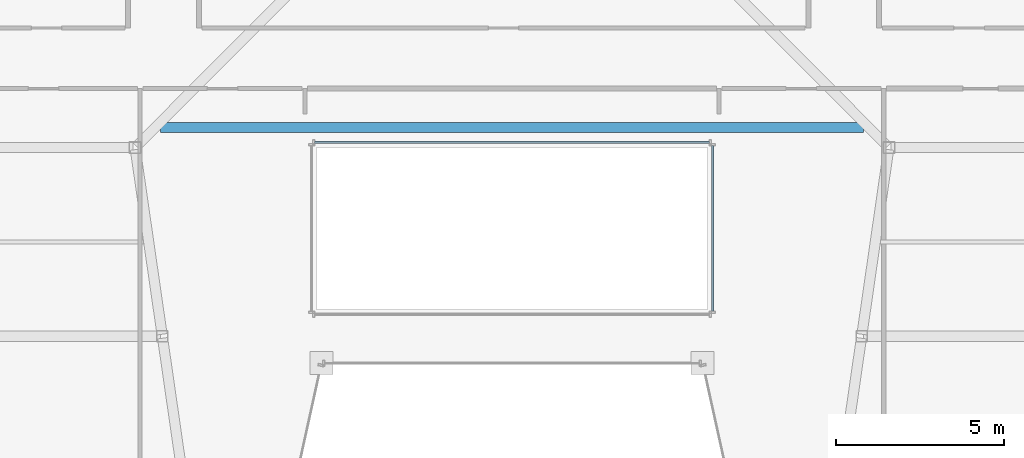
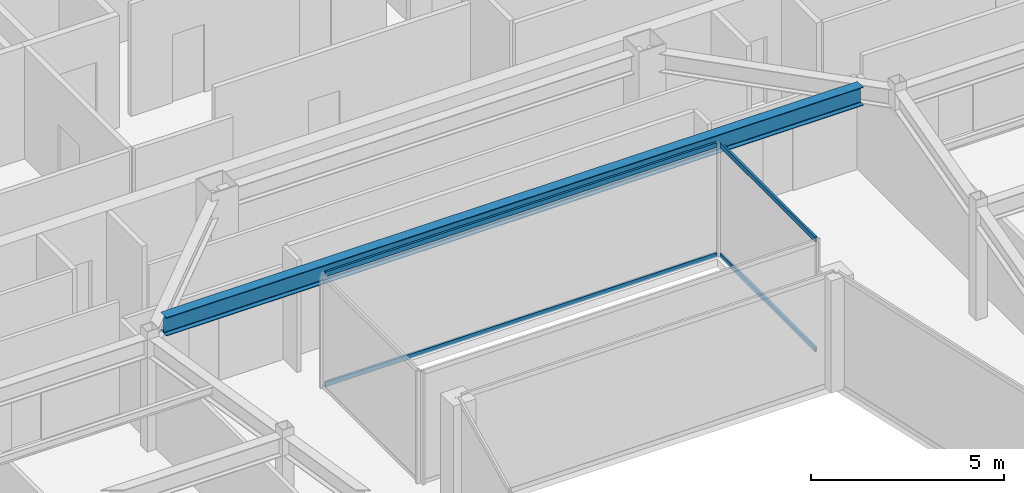
# One storey, part 10 of 32: 4 members, 1 beam, 2 elements without a shape of their own.
"""IFC4 building model written with IfcOpenShell, lengths in metres."""

from ifc_helpers import new_model, si_unit, direction, frame, origin, origin_2d, place, context, subcontext, project, spatial, hollow_rectangle, i_section, extrude, material, material_profile, profile_set, type_object, element, aggregate, save


model = new_model("IFC4")

# Units and contexts
model_context = context("Model", 3, precision=1e-05, world=origin(), true_north=direction((0.0, 1.0)))
body_context = subcontext(model_context, "Body", "Model", "MODEL_VIEW")
ifc_project = project(units=[si_unit("LENGTHUNIT", "METRE"), si_unit("AREAUNIT", "SQUARE_METRE"), si_unit("VOLUMEUNIT", "CUBIC_METRE"), si_unit("PLANEANGLEUNIT", "RADIAN"), si_unit("MASSUNIT", "GRAM", prefix="KILO")], contexts=[model_context])

# Site, building, storey
site_placement = place(None, origin())
site = spatial("IfcSite", under=ifc_project, at=site_placement, CompositionType="ELEMENT")
building_placement = place(site_placement, origin())
building = spatial("IfcBuilding", under=site, at=building_placement, Name="Saevonmaru Cultural Tower", CompositionType="ELEMENT")
storey_placement = place(building_placement, frame((0.0, 0.0, 245.800048828125)))
storey = spatial("IfcBuildingStorey", under=building, at=storey_placement, Name="L57", CompositionType="ELEMENT", Elevation=245.800048828125)

# Beam
ifc_material_1 = material(Name="Steel SM355", Category="steel")
ifc_material_profile_1 = material_profile(ifc_material_1, i_section(OverallWidth=0.300048828125, OverallDepth=0.587890625, WebThickness=0.011962890625, FlangeThickness=0.02001953125, FilletRadius=0.02392578125, at=origin_2d()), Name="H-588x300x12x20")
ifc_profile_set_1 = profile_set([ifc_material_profile_1], Name="Steel SM355")
beam_type = type_object("IfcBeamType", Name="BM-G-H588", PredefinedType="BEAM", material=ifc_profile_set_1)
beam_placement = place(storey_placement, frame((19.56494140625, 38.199951171875, 3.255859375), z_axis=(1.0, 0.0, 0.0), x_axis=(0.0, 1.0, 0.0)))
element("IfcBeam", 1, at=beam_placement, inside=storey, type_object=beam_type, Name="L57 Central Link Girder", PredefinedType="BEAM", context=body_context, shape_type="SweptSolid", body=[
    extrude(i_section(OverallWidth=0.300048828125, OverallDepth=0.587890625, WebThickness=0.011962890625, FlangeThickness=0.02001953125, FilletRadius=0.02392578125, at=origin_2d()), origin(), (0.0, 0.0, 1.0), 20.8701171875),
])

# Curtain wall, members
ifc_material_2 = material(Name="Satin Bronze Anodised Aluminium", Category="aluminium")
curtain_wall_type = type_object("IfcCurtainWallType", Name="CW-ATR-GLZ", PredefinedType="NOTDEFINED", material=ifc_material_2)
curtain_wall_1_placement = place(storey_placement, origin())
curtain_wall_1 = element("IfcCurtainWall", 2, at=curtain_wall_1_placement, inside=storey, type_object=curtain_wall_type, Name="L57 Vertical Atrium Glazed Smoke Screen 2", PredefinedType="NOTDEFINED")
ifc_material_profile_2 = material_profile(ifc_material_2, hollow_rectangle(XDim=0.06494140625, YDim=0.14990234375, WallThickness=0.00390625, at=origin_2d()), Name="ALU-TRAN-150x65x4")
ifc_profile_set_2 = profile_set([ifc_material_profile_2], Name="Satin Bronze Anodised Aluminium")
member_type = type_object("IfcMemberType", Name="TR-CW-INT-150x65", PredefinedType="USERDEFINED", material=ifc_profile_set_2)
member_1_placement = place(storey_placement, frame((35.949951171875, 32.742431640625, 0.032470703125), z_axis=(0.0, 1.0, 0.0), x_axis=(-1.0, 0.0, 0.0)))
member_1 = element("IfcMember", 3, at=member_1_placement, type_object=member_type, Name="CW-ATR-L57-2 transom 1.1", ObjectType="TRANSOM", PredefinedType="USERDEFINED", context=body_context, shape_type="SweptSolid", body=[
    extrude(hollow_rectangle(XDim=0.06494140625, YDim=0.14990234375, WallThickness=0.00390625, at=origin_2d()), origin(), (0.0, 0.0, 1.0), 4.9150390625),
])
member_2_placement = place(storey_placement, frame((35.949951171875, 32.742431640625, 3.517333984375), z_axis=(0.0, 1.0, 0.0), x_axis=(-1.0, 0.0, 0.0)))
member_2 = element("IfcMember", 4, at=member_2_placement, type_object=member_type, Name="CW-ATR-L57-2 transom 1.2", ObjectType="TRANSOM", PredefinedType="USERDEFINED", context=body_context, shape_type="SweptSolid", body=[
    extrude(hollow_rectangle(XDim=0.06494140625, YDim=0.14990234375, WallThickness=0.00390625, at=origin_2d()), origin(), (0.0, 0.0, 1.0), 4.9150390625),
])
aggregate(curtain_wall_1, [member_1, member_2])

curtain_wall_2_placement = place(storey_placement, origin())
curtain_wall_2 = element("IfcCurtainWall", 5, at=curtain_wall_2_placement, inside=storey, type_object=curtain_wall_type, Name="L57 Vertical Atrium Glazed Smoke Screen 3", PredefinedType="NOTDEFINED")
member_3_placement = place(storey_placement, frame((35.857421875, 37.75, 0.032470703125), z_axis=(-1.0, 0.0, 0.0), x_axis=(0.0, -1.0, 0.0)))
member_3 = element("IfcMember", 6, at=member_3_placement, type_object=member_type, Name="CW-ATR-L57-3 transom 1.1", ObjectType="TRANSOM", PredefinedType="USERDEFINED", context=body_context, shape_type="SweptSolid", body=[
    extrude(hollow_rectangle(XDim=0.06494140625, YDim=0.14990234375, WallThickness=0.00390625, at=origin_2d()), origin(), (0.0, 0.0, 1.0), 11.71484375),
])
member_4_placement = place(storey_placement, frame((35.857421875, 37.75, 3.517333984375), z_axis=(-1.0, 0.0, 0.0), x_axis=(0.0, -1.0, 0.0)))
member_4 = element("IfcMember", 7, at=member_4_placement, type_object=member_type, Name="CW-ATR-L57-3 transom 1.2", ObjectType="TRANSOM", PredefinedType="USERDEFINED", context=body_context, shape_type="SweptSolid", body=[
    extrude(hollow_rectangle(XDim=0.06494140625, YDim=0.14990234375, WallThickness=0.00390625, at=origin_2d()), origin(), (0.0, 0.0, 1.0), 11.71484375),
])
aggregate(curtain_wall_2, [member_3, member_4])

save(model, "model.ifc")
